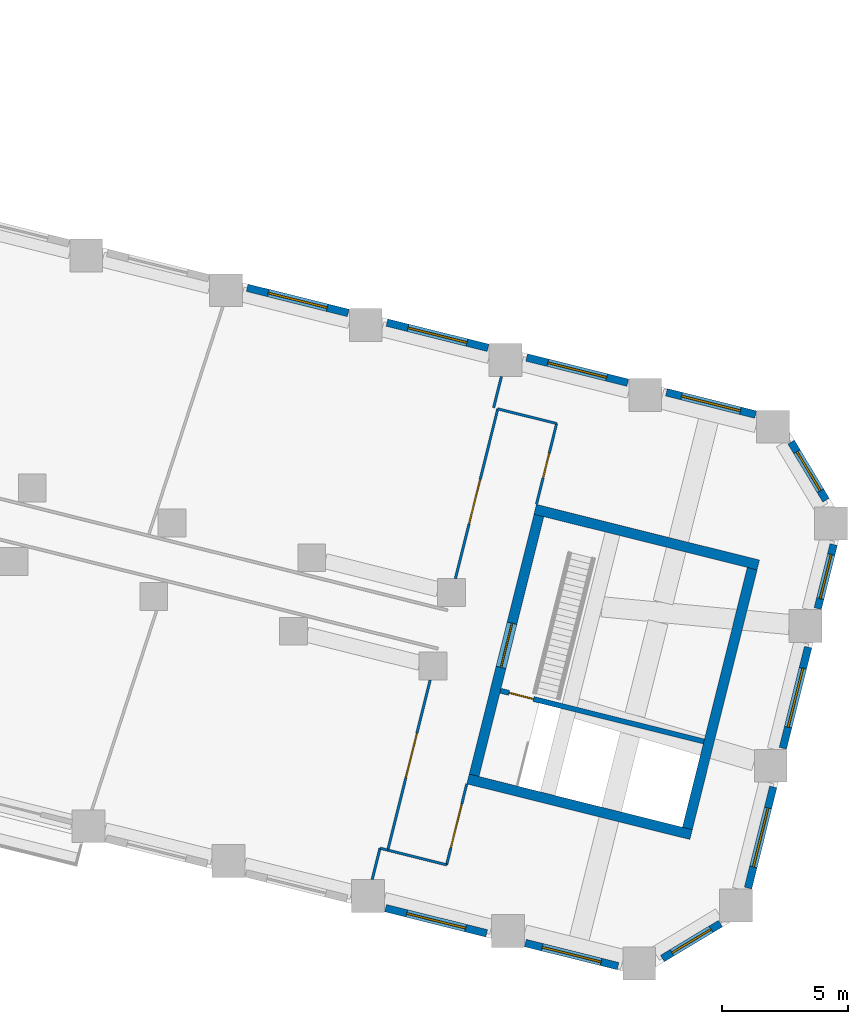
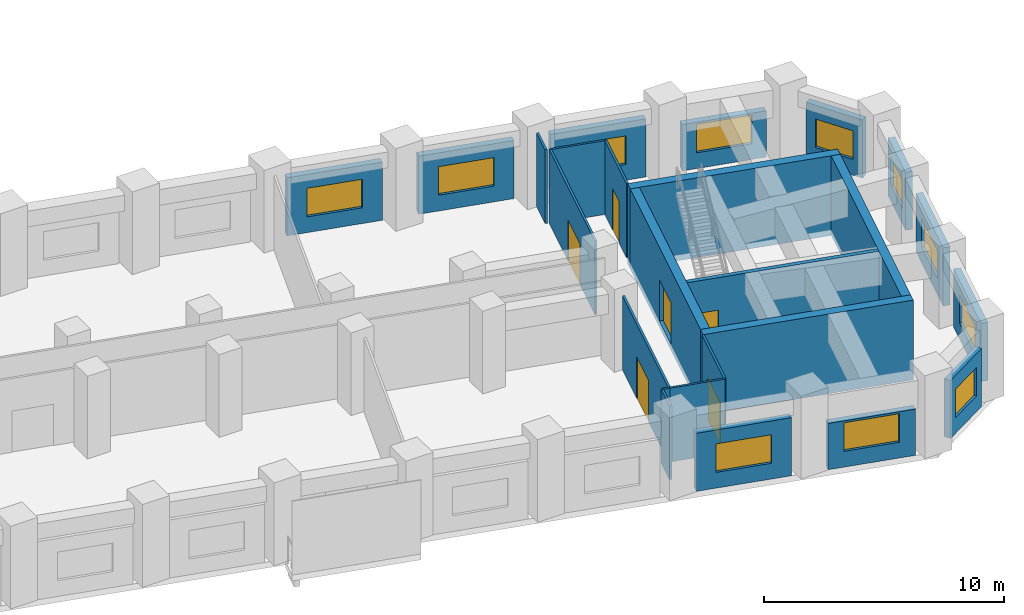
# One storey, part 7 of 11: 25 walls, 11 windows, 6 doors, 17 openings.
"""IFC4 building model written with IfcOpenShell, lengths in metres."""

import ifcopenshell
import ifcopenshell.guid

model = None  # the IFC model being written
_history = None  # IfcOwnerHistory: only IFC2X3 demands one
_inside = {}  # id of a spatial element -> (the spatial element, [elements in it])
_under = {}  # id of a project, library or spatial element -> (it, [spatial elements below it])
_declared = {}  # id of a project -> (the project, [libraries it declares])
_typed = {}  # id of a type object -> (the type object, [elements of that type])
_made_of = {}  # id of a material, layer set ... -> (it, [elements and type objects made of it])


def new_model(schema):
    """Start an empty IFC model of exactly this schema.

    Asked for "IFC4X3", IfcOpenShell would pick the latest addendum, in which some entities
    have other attributes; the version numbers below select the first issue.
    IFC2X3 requires an IfcOwnerHistory on every rooted entity: one is made here for all.
    """
    global model, _history
    if schema == "IFC4X3":
        model = ifcopenshell.file(schema_version=(4, 3, 0, 0))
    else:
        model = ifcopenshell.file(schema=schema)
    _inside.clear()
    _under.clear()
    _declared.clear()
    _typed.clear()
    _made_of.clear()
    _history = None
    if model.schema == "IFC2X3":
        org = make("IfcOrganization", Name="unknown")
        user = make(
            "IfcPersonAndOrganization",
            ThePerson=make("IfcPerson", FamilyName="unknown"),
            TheOrganization=org,
        )
        app = make(
            "IfcApplication",
            ApplicationDeveloper=org,
            Version="unknown",
            ApplicationFullName="unknown",
            ApplicationIdentifier="unknown",
        )
        _history = make(
            "IfcOwnerHistory",
            OwningUser=user,
            OwningApplication=app,
            ChangeAction="ADDED",
            CreationDate=0,
        )
    return model


def make(cls, **values):
    """One entity of the class cls with the attributes given. An attribute that is None is left unset."""
    return model.create_entity(
        cls, **{name: value for name, value in values.items() if value is not None}
    )


def rooted(cls, **values):
    """An entity with a GlobalId (a new one), such as an element, a storey or a relation."""
    return make(cls, GlobalId=ifcopenshell.guid.new(), OwnerHistory=_history, **values)


def si_unit(unit_type, name, prefix=None):
    """IfcSIUnit, for example si_unit("LENGTHUNIT", "METRE", prefix="MILLI")."""
    return make("IfcSIUnit", UnitType=unit_type, Prefix=prefix, Name=name)


def assignment(units):
    """IfcUnitAssignment: the units of a project."""
    return None if units is None else make("IfcUnitAssignment", Units=units)


def point(xyz):
    """IfcCartesianPoint."""
    return None if xyz is None else make("IfcCartesianPoint", Coordinates=xyz)


def direction(xyz):
    """IfcDirection."""
    return None if xyz is None else make("IfcDirection", DirectionRatios=xyz)


def frame(location, z_axis=None, x_axis=None):
    """IfcAxis2Placement3D, a coordinate frame: its origin and axes. An axis left out is left unset."""
    return make(
        "IfcAxis2Placement3D",
        Location=point(location),
        Axis=direction(z_axis),
        RefDirection=direction(x_axis),
    )


def frame_2d(location, x_axis=None):
    """IfcAxis2Placement2D, a coordinate frame in the plane: its origin and x axis."""
    return make(
        "IfcAxis2Placement2D", Location=point(location), RefDirection=direction(x_axis)
    )


def origin():
    """The frame at (0, 0, 0) with its axes left unset."""
    return frame((0.0, 0.0, 0.0))


def place(relative_to, where):
    """IfcLocalPlacement: puts the frame where relative to a parent placement (None: the world)."""
    return make(
        "IfcLocalPlacement", PlacementRelTo=relative_to, RelativePlacement=where
    )


def context(
    kind, dimensions, precision=None, world=None, true_north=None, identifier=None
):
    """IfcGeometricRepresentationContext, for example the 3D "Model" context."""
    return make(
        "IfcGeometricRepresentationContext",
        ContextIdentifier=identifier,
        ContextType=kind,
        CoordinateSpaceDimension=dimensions,
        Precision=precision,
        WorldCoordinateSystem=world,
        TrueNorth=true_north,
    )


def subcontext(parent, identifier, kind, view, scale=None):
    """IfcGeometricRepresentationSubContext, for example "Body" below "Model"."""
    return make(
        "IfcGeometricRepresentationSubContext",
        ContextIdentifier=identifier,
        ContextType=kind,
        ParentContext=parent,
        TargetScale=scale,
        TargetView=view,
    )


def project(units=None, contexts=None):
    """IfcProject with its units and contexts."""
    return rooted(
        "IfcProject",
        Name="project",
        RepresentationContexts=contexts,
        UnitsInContext=assignment(units),
    )


def spatial(cls, under=None, at=None, **own):
    """A site, building, storey or space (cls), placed at a placement, below another one or the project."""
    s = rooted(cls, ObjectPlacement=at, **own)
    if under is not None:
        _under.setdefault(under.id(), (under, []))[1].append(s)
    return s


def profile(cls, at=None, kind="AREA", **sizes):
    """A parametric profile (cls). Its sizes go by their IFC names, for example OverallWidth=200.0."""
    return make(cls, ProfileType=kind, Position=at, **sizes)


def rectangle(**sizes):
    """IfcRectangleProfileDef."""
    return profile("IfcRectangleProfileDef", **sizes)


def extrude(swept, where, along, depth):
    """IfcExtrudedAreaSolid: the profile swept, set in the frame where, extruded along a direction by depth."""
    return make(
        "IfcExtrudedAreaSolid",
        SweptArea=swept,
        Position=where,
        ExtrudedDirection=direction(along),
        Depth=depth,
    )


def shape(context_of_items, identifier, shape_type, items):
    """IfcShapeRepresentation: the items that make up one representation, for example the "Body"."""
    return make(
        "IfcShapeRepresentation",
        ContextOfItems=context_of_items,
        RepresentationIdentifier=identifier,
        RepresentationType=shape_type,
        Items=items,
    )


def material(Name=None, Category=None):
    """IfcMaterial."""
    return make("IfcMaterial", Name=Name, Category=Category)


def layer(
    of_material, thickness, ventilated=None, Name=None, Category=None, Priority=None
):
    """IfcMaterialLayer: one layer of a wall or slab, of a material (None: an air gap)."""
    return make(
        "IfcMaterialLayer",
        Material=of_material,
        LayerThickness=thickness,
        IsVentilated=ventilated,
        Name=Name,
        Category=Category,
        Priority=Priority,
    )


def layer_set(layers, Name=None):
    """IfcMaterialLayerSet."""
    return make("IfcMaterialLayerSet", MaterialLayers=layers, LayerSetName=Name)


def made_of(thing, what):
    """Note that an element or type object is made of a material, layer set ...; save() writes the relation."""
    if what is not None:
        _made_of.setdefault(what.id(), (what, []))[1].append(thing)
    return thing


def type_object(cls, material=None, **own):
    """A type object (cls), such as IfcWallType, which elements share."""
    return made_of(rooted(cls, **own), material)


def element(
    cls,
    number,
    at=None,
    inside=None,
    cuts=None,
    type_object=None,
    material=None,
    context=None,
    identifier="Body",
    shape_type=None,
    held_by="IfcProductDefinitionShape",
    body=None,
    shapes=None,
    **own,
):
    """One element of the class cls, such as IfcWall. Its Tag is "e" and its number.

    at: its placement. inside: the storey or other place that contains it. cuts: it is an
    opening in that element (IfcRelVoidsElement). A single representation is given by context,
    identifier, shape_type and body (its items); several are given by shapes. held_by: the class
    of the entity that holds the representations. save() writes the other relations.
    """
    e = rooted(cls, Tag="e%d" % number, ObjectPlacement=at, **own)
    if body is not None:
        shapes = [shape(context, identifier, shape_type, body)]
    if shapes is not None:
        e.Representation = make(held_by, Representations=shapes)
    if inside is not None:
        _inside.setdefault(inside.id(), (inside, []))[1].append(e)
    if cuts is not None:
        rooted(
            "IfcRelVoidsElement", RelatingBuildingElement=cuts, RelatedOpeningElement=e
        )
    if type_object is not None:
        _typed.setdefault(type_object.id(), (type_object, []))[1].append(e)
    return made_of(e, material)


def fill(opening, filler):
    """IfcRelFillsElement: the door or window that sits in an opening."""
    return rooted(
        "IfcRelFillsElement",
        RelatingOpeningElement=opening,
        RelatedBuildingElement=filler,
    )


def aggregate(whole, parts):
    """IfcRelAggregates: a whole, such as a stair, and the parts it consists of."""
    return rooted("IfcRelAggregates", RelatingObject=whole, RelatedObjects=parts)


def save(model, path):
    """Write the relations noted so far, then the file.

    IfcRelAggregates (storeys below a building ...), IfcRelContainedInSpatialStructure (elements
    in a storey), IfcRelDefinesByType, IfcRelAssociatesMaterial and IfcRelDeclares: one each for
    every whole, place, type object, material and project.
    """
    for whole, parts in _under.values():
        aggregate(whole, parts)
    for where, things in _inside.values():
        rooted(
            "IfcRelContainedInSpatialStructure",
            RelatedElements=things,
            RelatingStructure=where,
        )
    for kind, things in _typed.values():
        rooted("IfcRelDefinesByType", RelatedObjects=things, RelatingType=kind)
    for what, things in _made_of.values():
        rooted("IfcRelAssociatesMaterial", RelatedObjects=things, RelatingMaterial=what)
    for by, libraries in _declared.values():
        rooted("IfcRelDeclares", RelatingContext=by, RelatedDefinitions=libraries)
    model.write(path)


model = new_model("IFC4")

# Units and contexts
model_context = context("Model", 3, precision=1e-05, world=origin(), true_north=direction((0.0, 1.0)))
body_context = subcontext(model_context, "Body", "Model", "MODEL_VIEW")
ifc_project = project(units=[si_unit("LENGTHUNIT", "METRE"), si_unit("AREAUNIT", "SQUARE_METRE"), si_unit("VOLUMEUNIT", "CUBIC_METRE"), si_unit("PLANEANGLEUNIT", "RADIAN"), si_unit("MASSUNIT", "GRAM", prefix="KILO")], contexts=[model_context])

# Site, building, storey
site_placement = place(None, origin())
site = spatial("IfcSite", under=ifc_project, at=site_placement, CompositionType="ELEMENT")
building_placement = place(site_placement, origin())
building = spatial("IfcBuilding", under=site, at=building_placement, Name="Meshkara Civic Tower", CompositionType="ELEMENT")
storey_placement = place(building_placement, frame((0.0, 0.0, 151.800048828125)))
storey = spatial("IfcBuildingStorey", under=building, at=storey_placement, Name="L34", CompositionType="ELEMENT", Elevation=151.800048828125)

# Wall
ifc_material_1 = material(Name="Corridor wall 100")
ifc_layer_1 = layer(ifc_material_1, 0.10009765625)
ifc_layer_set_1 = layer_set([ifc_layer_1], Name="Corridor wall 100")
wall_type_1 = type_object("IfcWallType", Name="Corridor wall 100", PredefinedType="PARTITIONING", material=ifc_layer_set_1)
wall_1_placement = place(storey_placement, frame((67.405029296875, -14.33203125, 0.0), z_axis=(0.0, 0.0, 1.0), x_axis=(0.970256074659, -0.242080874063, 0.0)))
element("IfcWall", 1, at=wall_1_placement, inside=storey, type_object=wall_type_1, Name="L34-W024", PredefinedType="PARTITIONING", context=body_context, shape_type="SweptSolid", body=[
    extrude(rectangle(XDim=2.400146484375, YDim=0.10009765625, at=frame_2d((1.2001953125, 0.0))), origin(), (0.0, 0.0, 1.0), 3.75),
])

# Wall, opening, door
wall_2_placement = place(storey_placement, frame((69.083984375, -7.60009765625, 0.0), z_axis=(0.0, 0.0, 1.0), x_axis=(-0.241989134778, -0.970278959191, 0.0)))
wall_2 = element("IfcWall", 2, at=wall_2_placement, inside=storey, type_object=wall_type_1, Name="L34-W025", PredefinedType="PARTITIONING", context=body_context, shape_type="SweptSolid", body=[
    extrude(rectangle(XDim=6.938232421875, YDim=0.10009765625, at=frame_2d((3.46923828125, 0.0))), origin(), (0.0, 0.0, 1.0), 3.75),
])
opening_1_placement = place(wall_2_placement, frame((2.179931640625, 0.0, 0.0)))
opening_1 = element("IfcOpeningElement", 3, at=opening_1_placement, cuts=wall_2, Name="Opening L34-D002", PredefinedType="OPENING", context=body_context, shape_type="SweptSolid", body=[
    extrude(rectangle(XDim=1.800048828125, YDim=2.10009765625, at=frame_2d((0.89990234375, 1.050048828125))), frame((0.0, 0.06005859375, 0.0), z_axis=(0.0, -1.0, 0.0), x_axis=(1.0, 0.0, 0.0)), (0.0, 0.0, 1.0), 0.1201171875),
])
ifc_material_2 = material(Name="Door pair 1800 x 2100")
door_type_1 = type_object("IfcDoorType", Name="Door pair 1800 x 2100", OperationType="SINGLE_SWING_LEFT", PredefinedType="DOOR", material=ifc_material_2)
door_1_placement = place(opening_1_placement, origin())
door_1 = element("IfcDoor", 4, at=door_1_placement, inside=storey, type_object=door_type_1, Name="L34-D002", OperationType="DOUBLE_DOOR_SINGLE_SWING", OverallHeight=2.10009765625, OverallWidth=1.800048828125, PredefinedType="DOOR", context=body_context, shape_type="SweptSolid", body=[
    extrude(rectangle(XDim=1.800048828125, YDim=2.10009765625, at=frame_2d((0.89990234375, 1.050048828125))), frame((0.0, 0.02490234375, 0.0), z_axis=(0.0, -1.0, 0.0), x_axis=(1.0, 0.0, 0.0)), (0.0, 0.0, 1.0), 0.050048828125),
])
fill(opening_1, door_1)

wall_3_placement = place(storey_placement, frame((69.73388671875, -14.9130859375, 0.0), z_axis=(0.0, 0.0, 1.0), x_axis=(0.241839284064, 0.97031631991, 0.0)))
wall_3 = element("IfcWall", 5, at=wall_3_placement, inside=storey, type_object=wall_type_1, Name="L34-W026", PredefinedType="PARTITIONING", context=body_context, shape_type="SweptSolid", body=[
    extrude(rectangle(XDim=3.300048828125, YDim=0.10009765625, at=frame_2d((1.64990234375, 0.0))), origin(), (0.0, 0.0, 1.0), 3.75),
])
opening_2_placement = place(wall_3_placement, frame((0.679931640625, 0.0, 0.0)))
opening_2 = element("IfcOpeningElement", 6, at=opening_2_placement, cuts=wall_3, Name="Opening L34-D001", PredefinedType="OPENING", context=body_context, shape_type="SweptSolid", body=[
    extrude(rectangle(XDim=1.800048828125, YDim=2.10009765625, at=frame_2d((0.89990234375, 1.050048828125))), frame((0.0, 0.06005859375, 0.0), z_axis=(0.0, -1.0, 0.0), x_axis=(1.0, 0.0, 0.0)), (0.0, 0.0, 1.0), 0.1201171875),
])
door_2_placement = place(opening_2_placement, origin())
door_2 = element("IfcDoor", 7, at=door_2_placement, inside=storey, type_object=door_type_1, Name="L34-D001", OperationType="DOUBLE_DOOR_SINGLE_SWING", OverallHeight=2.10009765625, OverallWidth=1.800048828125, PredefinedType="DOOR", context=body_context, shape_type="SweptSolid", body=[
    extrude(rectangle(XDim=1.800048828125, YDim=2.10009765625, at=frame_2d((0.89990234375, 1.050048828125))), frame((0.0, 0.02490234375, 0.0), z_axis=(0.0, -1.0, 0.0), x_axis=(1.0, 0.0, 0.0)), (0.0, 0.0, 1.0), 0.050048828125),
])
fill(opening_2, door_2)

wall_4_placement = place(storey_placement, frame((71.759033203125, 3.133056640625, 0.0), z_axis=(0.0, 0.0, 1.0), x_axis=(-0.242021590717, -0.970270864051, 0.0)))
wall_4 = element("IfcWall", 8, at=wall_4_placement, inside=storey, type_object=wall_type_1, Name="L34-W027", PredefinedType="PARTITIONING", context=body_context, shape_type="SweptSolid", body=[
    extrude(rectangle(XDim=6.92919921875, YDim=0.10009765625, at=frame_2d((3.464599609375, 0.0))), origin(), (0.0, 0.0, 1.0), 3.75),
])
opening_3_placement = place(wall_4_placement, frame((2.8798828125, 0.0, 0.0)))
opening_3 = element("IfcOpeningElement", 9, at=opening_3_placement, cuts=wall_4, Name="Opening L34-D004", PredefinedType="OPENING", context=body_context, shape_type="SweptSolid", body=[
    extrude(rectangle(XDim=1.800048828125, YDim=2.10009765625, at=frame_2d((0.89990234375, 1.050048828125))), frame((0.0, 0.06005859375, 0.0), z_axis=(0.0, -1.0, 0.0), x_axis=(1.0, 0.0, 0.0)), (0.0, 0.0, 1.0), 0.1201171875),
])
door_3_placement = place(opening_3_placement, origin())
door_3 = element("IfcDoor", 10, at=door_3_placement, inside=storey, type_object=door_type_1, Name="L34-D004", OperationType="DOUBLE_DOOR_SINGLE_SWING", OverallHeight=2.10009765625, OverallWidth=1.800048828125, PredefinedType="DOOR", context=body_context, shape_type="SweptSolid", body=[
    extrude(rectangle(XDim=1.800048828125, YDim=2.10009765625, at=frame_2d((0.89990234375, 1.050048828125))), frame((0.0, 0.02490234375, 0.0), z_axis=(0.0, -1.0, 0.0), x_axis=(1.0, 0.0, 0.0)), (0.0, 0.0, 1.0), 0.050048828125),
])
fill(opening_3, door_3)

wall_5_placement = place(storey_placement, frame((73.2900390625, -0.64990234375, 0.0), z_axis=(0.0, 0.0, 1.0), x_axis=(0.241786986316, 0.970329352977, 0.0)))
wall_5 = element("IfcWall", 11, at=wall_5_placement, inside=storey, type_object=wall_type_1, Name="L34-W028", PredefinedType="PARTITIONING", context=body_context, shape_type="SweptSolid", body=[
    extrude(rectangle(XDim=3.2998046875, YDim=0.10009765625, at=frame_2d((1.64990234375, 0.0))), origin(), (0.0, 0.0, 1.0), 3.75),
])
opening_4_placement = place(wall_5_placement, frame((1.080078125, 0.0, 0.0)))
opening_4 = element("IfcOpeningElement", 12, at=opening_4_placement, cuts=wall_5, Name="Opening L34-D009", PredefinedType="OPENING", context=body_context, shape_type="SweptSolid", body=[
    extrude(rectangle(XDim=1.0, YDim=2.10009765625, at=frame_2d((0.5, 1.050048828125))), frame((0.0, 0.06005859375, 0.0), z_axis=(0.0, -1.0, 0.0), x_axis=(1.0, 0.0, 0.0)), (0.0, 0.0, 1.0), 0.1201171875),
])
ifc_material_3 = material(Name="Door 1000 x 2100")
door_type_2 = type_object("IfcDoorType", Name="Door 1000 x 2100", OperationType="SINGLE_SWING_LEFT", PredefinedType="DOOR", material=ifc_material_3)
door_4_placement = place(opening_4_placement, origin())
door_4 = element("IfcDoor", 13, at=door_4_placement, inside=storey, type_object=door_type_2, Name="L34-D009", OperationType="SINGLE_SWING_RIGHT", OverallHeight=2.10009765625, OverallWidth=1.0, PredefinedType="DOOR", context=body_context, shape_type="SweptSolid", body=[
    extrude(rectangle(XDim=1.0, YDim=2.10009765625, at=frame_2d((0.5, 1.050048828125))), frame((0.0, 0.02490234375, 0.0), z_axis=(0.0, -1.0, 0.0), x_axis=(1.0, 0.0, 0.0)), (0.0, 0.0, 1.0), 0.050048828125),
])
fill(opening_4, door_4)

# Wall
wall_6_placement = place(storey_placement, frame((74.087890625, 2.552001953125, 0.0), z_axis=(0.0, 0.0, 1.0), x_axis=(-0.970256074659, 0.242080874063, 0.0)))
element("IfcWall", 14, at=wall_6_placement, inside=storey, type_object=wall_type_1, Name="L34-W029", PredefinedType="PARTITIONING", context=body_context, shape_type="SweptSolid", body=[
    extrude(rectangle(XDim=2.400146484375, YDim=0.10009765625, at=frame_2d((1.2001953125, 0.0))), origin(), (0.0, 0.0, 1.0), 3.75),
])

# Wall, opening, window
ifc_material_4 = material(Name="Insulated infill panel with bronze anodised aluminium cladding", Category="aluminium")
ifc_layer_2 = layer(ifc_material_4, 0.300048828125)
ifc_layer_set_2 = layer_set([ifc_layer_2], Name="EXTERNAL INFILL WALL 300")
wall_type_2 = type_object("IfcWallType", Name="EXTERNAL INFILL WALL 300", PredefinedType="SOLIDWALL", material=ifc_layer_set_2)
wall_7_placement = place(storey_placement, frame((81.962890625, 2.906982421875, 0.0), z_axis=(0.0, 0.0, 1.0), x_axis=(-0.970248953144, 0.24210941519, 0.0)))
wall_7 = element("IfcWall", 15, at=wall_7_placement, inside=storey, type_object=wall_type_2, Name="External wall", PredefinedType="SOLIDWALL", context=body_context, shape_type="SweptSolid", body=[
    extrude(rectangle(XDim=3.63916015625, YDim=0.300048828125, at=frame_2d((1.819580078125, 0.0))), origin(), (0.0, 0.0, 1.0), 2.349853515625),
])
opening_5_placement = place(wall_7_placement, frame((0.6201171875, 0.0, 0.800048828125)))
opening_5 = element("IfcOpeningElement", 16, at=opening_5_placement, cuts=wall_7, Name="Opening W8", PredefinedType="OPENING", context=body_context, shape_type="SweptSolid", body=[
    extrude(rectangle(XDim=2.39990234375, YDim=1.449951171875, at=frame_2d((1.199951171875, 0.72509765625))), frame((0.0, 0.159912109375, 0.0), z_axis=(0.0, -1.0, 0.0), x_axis=(1.0, 0.0, 0.0)), (0.0, 0.0, 1.0), 0.320068359375),
])
ifc_material_5 = material(Name="Tinted double glazing", Category="glass")
window_type_1 = type_object("IfcWindowType", Name="WINDOW 2400x1450", PartitioningType="DOUBLE_PANEL_VERTICAL", PredefinedType="WINDOW", material=ifc_material_5)
window_1_placement = place(opening_5_placement, origin())
window_1 = element("IfcWindow", 17, at=window_1_placement, inside=storey, type_object=window_type_1, Name="Window", OverallHeight=1.449951171875, OverallWidth=2.39990234375, PartitioningType="DOUBLE_PANEL_VERTICAL", PredefinedType="WINDOW", context=body_context, shape_type="SweptSolid", body=[
    extrude(rectangle(XDim=2.39990234375, YDim=1.449951171875, at=frame_2d((1.199951171875, 0.72509765625))), frame((0.0, 0.030029296875, 0.0), z_axis=(0.0, -1.0, 0.0), x_axis=(1.0, 0.0, 0.0)), (0.0, 0.0, 1.0), 0.06005859375),
])
fill(opening_5, window_1)

wall_8_placement = place(storey_placement, frame((76.903076171875, 4.1689453125, 0.0), z_axis=(0.0, 0.0, 1.0), x_axis=(-0.970267747908, 0.242034083076, 0.0)))
wall_8 = element("IfcWall", 18, at=wall_8_placement, inside=storey, type_object=wall_type_2, Name="External wall", PredefinedType="SOLIDWALL", context=body_context, shape_type="SweptSolid", body=[
    extrude(rectangle(XDim=4.12353515625, YDim=0.300048828125, at=frame_2d((2.061767578125, 0.0))), origin(), (0.0, 0.0, 1.0), 2.949951171875),
])
opening_6_placement = place(wall_8_placement, frame((0.862060546875, 0.0, 0.800048828125)))
opening_6 = element("IfcOpeningElement", 19, at=opening_6_placement, cuts=wall_8, Name="Opening W8", PredefinedType="OPENING", context=body_context, shape_type="SweptSolid", body=[
    extrude(rectangle(XDim=2.39990234375, YDim=1.449951171875, at=frame_2d((1.199951171875, 0.72509765625))), frame((0.0, 0.159912109375, 0.0), z_axis=(0.0, -1.0, 0.0), x_axis=(1.0, 0.0, 0.0)), (0.0, 0.0, 1.0), 0.320068359375),
])
window_2_placement = place(opening_6_placement, origin())
window_2 = element("IfcWindow", 20, at=window_2_placement, inside=storey, type_object=window_type_1, Name="Window", OverallHeight=1.449951171875, OverallWidth=2.39990234375, PartitioningType="DOUBLE_PANEL_VERTICAL", PredefinedType="WINDOW", context=body_context, shape_type="SweptSolid", body=[
    extrude(rectangle(XDim=2.39990234375, YDim=1.449951171875, at=frame_2d((1.199951171875, 0.72509765625))), frame((0.0, 0.030029296875, 0.0), z_axis=(0.0, -1.0, 0.0), x_axis=(1.0, 0.0, 0.0)), (0.0, 0.0, 1.0), 0.06005859375),
])
fill(opening_6, window_2)

wall_9_placement = place(storey_placement, frame((71.373046875, 5.548095703125, 0.0), z_axis=(0.0, 0.0, 1.0), x_axis=(-0.97029551261, 0.241922752565, 0.0)))
wall_9 = element("IfcWall", 21, at=wall_9_placement, inside=storey, type_object=wall_type_2, Name="External wall", PredefinedType="SOLIDWALL", context=body_context, shape_type="SweptSolid", body=[
    extrude(rectangle(XDim=4.12451171875, YDim=0.300048828125, at=frame_2d((2.062255859375, 0.0))), origin(), (0.0, 0.0, 1.0), 2.949951171875),
])
opening_7_placement = place(wall_9_placement, frame((0.862060546875, 0.0, 0.800048828125)))
opening_7 = element("IfcOpeningElement", 22, at=opening_7_placement, cuts=wall_9, Name="Opening W8", PredefinedType="OPENING", context=body_context, shape_type="SweptSolid", body=[
    extrude(rectangle(XDim=2.39990234375, YDim=1.449951171875, at=frame_2d((1.199951171875, 0.72509765625))), frame((0.0, 0.159912109375, 0.0), z_axis=(0.0, -1.0, 0.0), x_axis=(1.0, 0.0, 0.0)), (0.0, 0.0, 1.0), 0.320068359375),
])
window_3_placement = place(opening_7_placement, origin())
window_3 = element("IfcWindow", 23, at=window_3_placement, inside=storey, type_object=window_type_1, Name="Window", OverallHeight=1.449951171875, OverallWidth=2.39990234375, PartitioningType="DOUBLE_PANEL_VERTICAL", PredefinedType="WINDOW", context=body_context, shape_type="SweptSolid", body=[
    extrude(rectangle(XDim=2.39990234375, YDim=1.449951171875, at=frame_2d((1.199951171875, 0.72509765625))), frame((0.0, 0.030029296875, 0.0), z_axis=(0.0, -1.0, 0.0), x_axis=(1.0, 0.0, 0.0)), (0.0, 0.0, 1.0), 0.06005859375),
])
fill(opening_7, window_3)

wall_10_placement = place(storey_placement, frame((65.842041015625, 6.927001953125, 0.0), z_axis=(0.0, 0.0, 1.0), x_axis=(-0.970281616392, 0.241978480223, 0.0)))
wall_10 = element("IfcWall", 24, at=wall_10_placement, inside=storey, type_object=wall_type_2, Name="External wall", PredefinedType="SOLIDWALL", context=body_context, shape_type="SweptSolid", body=[
    extrude(rectangle(XDim=4.12451171875, YDim=0.300048828125, at=frame_2d((2.062255859375, 0.0))), origin(), (0.0, 0.0, 1.0), 2.949951171875),
])
opening_8_placement = place(wall_10_placement, frame((0.862060546875, 0.0, 0.800048828125)))
opening_8 = element("IfcOpeningElement", 25, at=opening_8_placement, cuts=wall_10, Name="Opening W8", PredefinedType="OPENING", context=body_context, shape_type="SweptSolid", body=[
    extrude(rectangle(XDim=2.39990234375, YDim=1.449951171875, at=frame_2d((1.199951171875, 0.72509765625))), frame((0.0, 0.159912109375, 0.0), z_axis=(0.0, -1.0, 0.0), x_axis=(1.0, 0.0, 0.0)), (0.0, 0.0, 1.0), 0.320068359375),
])
window_4_placement = place(opening_8_placement, origin())
window_4 = element("IfcWindow", 26, at=window_4_placement, inside=storey, type_object=window_type_1, Name="Window", OverallHeight=1.449951171875, OverallWidth=2.39990234375, PartitioningType="DOUBLE_PANEL_VERTICAL", PredefinedType="WINDOW", context=body_context, shape_type="SweptSolid", body=[
    extrude(rectangle(XDim=2.39990234375, YDim=1.449951171875, at=frame_2d((1.199951171875, 0.72509765625))), frame((0.0, 0.030029296875, 0.0), z_axis=(0.0, -1.0, 0.0), x_axis=(1.0, 0.0, 0.0)), (0.0, 0.0, 1.0), 0.06005859375),
])
fill(opening_8, window_4)

wall_11_placement = place(storey_placement, frame((67.319091796875, -16.6298828125, 0.0), z_axis=(0.0, 0.0, 1.0), x_axis=(0.970337184445, -0.241755555227, 0.0)))
wall_11 = element("IfcWall", 27, at=wall_11_placement, inside=storey, type_object=wall_type_2, Name="External wall", PredefinedType="SOLIDWALL", context=body_context, shape_type="SweptSolid", body=[
    extrude(rectangle(XDim=4.124267578125, YDim=0.300048828125, at=frame_2d((2.06201171875, 0.0))), origin(), (0.0, 0.0, 1.0), 2.949951171875),
])
opening_9_placement = place(wall_11_placement, frame((0.862060546875, 0.0, 0.800048828125)))
opening_9 = element("IfcOpeningElement", 28, at=opening_9_placement, cuts=wall_11, Name="Opening W8", PredefinedType="OPENING", context=body_context, shape_type="SweptSolid", body=[
    extrude(rectangle(XDim=2.39990234375, YDim=1.449951171875, at=frame_2d((1.199951171875, 0.72509765625))), frame((0.0, 0.159912109375, 0.0), z_axis=(0.0, -1.0, 0.0), x_axis=(1.0, 0.0, 0.0)), (0.0, 0.0, 1.0), 0.320068359375),
])
window_5_placement = place(opening_9_placement, origin())
window_5 = element("IfcWindow", 29, at=window_5_placement, inside=storey, type_object=window_type_1, Name="Window", OverallHeight=1.449951171875, OverallWidth=2.39990234375, PartitioningType="DOUBLE_PANEL_VERTICAL", PredefinedType="WINDOW", context=body_context, shape_type="SweptSolid", body=[
    extrude(rectangle(XDim=2.39990234375, YDim=1.449951171875, at=frame_2d((1.199951171875, 0.72509765625))), frame((0.0, 0.030029296875, 0.0), z_axis=(0.0, -1.0, 0.0), x_axis=(1.0, 0.0, 0.0)), (0.0, 0.0, 1.0), 0.06005859375),
])
fill(opening_9, window_5)

wall_12_placement = place(storey_placement, frame((72.85009765625, -18.009033203125, 0.0), z_axis=(0.0, 0.0, 1.0), x_axis=(0.970309295155, -0.241867467295, 0.0)))
wall_12 = element("IfcWall", 30, at=wall_12_placement, inside=storey, type_object=wall_type_2, Name="External wall", PredefinedType="SOLIDWALL", context=body_context, shape_type="SweptSolid", body=[
    extrude(rectangle(XDim=3.783203125, YDim=0.300048828125, at=frame_2d((1.8916015625, 0.0))), origin(), (0.0, 0.0, 1.0), 2.349853515625),
])
opening_10_placement = place(wall_12_placement, frame((0.69189453125, 0.0, 0.800048828125)))
opening_10 = element("IfcOpeningElement", 31, at=opening_10_placement, cuts=wall_12, Name="Opening W8", PredefinedType="OPENING", context=body_context, shape_type="SweptSolid", body=[
    extrude(rectangle(XDim=2.39990234375, YDim=1.449951171875, at=frame_2d((1.199951171875, 0.72509765625))), frame((0.0, 0.159912109375, 0.0), z_axis=(0.0, -1.0, 0.0), x_axis=(1.0, 0.0, 0.0)), (0.0, 0.0, 1.0), 0.320068359375),
])
window_6_placement = place(opening_10_placement, origin())
window_6 = element("IfcWindow", 32, at=window_6_placement, inside=storey, type_object=window_type_1, Name="Window", OverallHeight=1.449951171875, OverallWidth=2.39990234375, PartitioningType="DOUBLE_PANEL_VERTICAL", PredefinedType="WINDOW", context=body_context, shape_type="SweptSolid", body=[
    extrude(rectangle(XDim=2.39990234375, YDim=1.449951171875, at=frame_2d((1.199951171875, 0.72509765625))), frame((0.0, 0.030029296875, 0.0), z_axis=(0.0, -1.0, 0.0), x_axis=(1.0, 0.0, 0.0)), (0.0, 0.0, 1.0), 0.06005859375),
])
fill(opening_10, window_6)

wall_13_placement = place(storey_placement, frame((78.277099609375, -18.62109375, 0.0), z_axis=(0.0, 0.0, 1.0), x_axis=(0.857066424989, 0.515205923061, 0.0)))
wall_13 = element("IfcWall", 33, at=wall_13_placement, inside=storey, type_object=wall_type_2, Name="External wall", PredefinedType="SOLIDWALL", context=body_context, shape_type="SweptSolid", body=[
    extrude(rectangle(XDim=2.6787109375, YDim=0.300048828125, at=frame_2d((1.33935546875, 0.0))), origin(), (0.0, 0.0, 1.0), 2.949951171875),
])
opening_11_placement = place(wall_13_placement, frame((0.43896484375, 0.0, 0.800048828125)))
opening_11 = element("IfcOpeningElement", 34, at=opening_11_placement, cuts=wall_13, Name="Opening W10", PredefinedType="OPENING", context=body_context, shape_type="SweptSolid", body=[
    extrude(rectangle(XDim=1.800048828125, YDim=1.449951171875, at=frame_2d((0.89990234375, 0.72509765625))), frame((0.0, 0.159912109375, 0.0), z_axis=(0.0, -1.0, 0.0), x_axis=(1.0, 0.0, 0.0)), (0.0, 0.0, 1.0), 0.320068359375),
])
ifc_material_6 = material(Name="Tinted double glazing", Category="glass")
window_type_2 = type_object("IfcWindowType", Name="WINDOW 1800x1450", PartitioningType="DOUBLE_PANEL_VERTICAL", PredefinedType="WINDOW", material=ifc_material_6)
window_7_placement = place(opening_11_placement, origin())
window_7 = element("IfcWindow", 35, at=window_7_placement, inside=storey, type_object=window_type_2, Name="Window", OverallHeight=1.449951171875, OverallWidth=1.800048828125, PartitioningType="DOUBLE_PANEL_VERTICAL", PredefinedType="WINDOW", context=body_context, shape_type="SweptSolid", body=[
    extrude(rectangle(XDim=1.800048828125, YDim=1.449951171875, at=frame_2d((0.89990234375, 0.72509765625))), frame((0.0, 0.030029296875, 0.0), z_axis=(0.0, -1.0, 0.0), x_axis=(1.0, 0.0, 0.0)), (0.0, 0.0, 1.0), 0.06005859375),
])
fill(opening_11, window_7)

wall_14_placement = place(storey_placement, frame((81.6650390625, -15.83203125, 0.0), z_axis=(0.0, 0.0, 1.0), x_axis=(0.241978480223, 0.970281616392, 0.0)))
wall_14 = element("IfcWall", 36, at=wall_14_placement, inside=storey, type_object=wall_type_2, Name="External wall", PredefinedType="SOLIDWALL", context=body_context, shape_type="SweptSolid", body=[
    extrude(rectangle(XDim=4.12451171875, YDim=0.300048828125, at=frame_2d((2.062255859375, 0.0))), origin(), (0.0, 0.0, 1.0), 2.949951171875),
])
opening_12_placement = place(wall_14_placement, frame((0.862060546875, 0.0, 0.800048828125)))
opening_12 = element("IfcOpeningElement", 37, at=opening_12_placement, cuts=wall_14, Name="Opening W8", PredefinedType="OPENING", context=body_context, shape_type="SweptSolid", body=[
    extrude(rectangle(XDim=2.39990234375, YDim=1.449951171875, at=frame_2d((1.199951171875, 0.72509765625))), frame((0.0, 0.159912109375, 0.0), z_axis=(0.0, -1.0, 0.0), x_axis=(1.0, 0.0, 0.0)), (0.0, 0.0, 1.0), 0.320068359375),
])
window_8_placement = place(opening_12_placement, origin())
window_8 = element("IfcWindow", 38, at=window_8_placement, inside=storey, type_object=window_type_1, Name="Window", OverallHeight=1.449951171875, OverallWidth=2.39990234375, PartitioningType="DOUBLE_PANEL_VERTICAL", PredefinedType="WINDOW", context=body_context, shape_type="SweptSolid", body=[
    extrude(rectangle(XDim=2.39990234375, YDim=1.449951171875, at=frame_2d((1.199951171875, 0.72509765625))), frame((0.0, 0.030029296875, 0.0), z_axis=(0.0, -1.0, 0.0), x_axis=(1.0, 0.0, 0.0)), (0.0, 0.0, 1.0), 0.06005859375),
])
fill(opening_12, window_8)

wall_15_placement = place(storey_placement, frame((83.0439453125, -10.301025390625, 0.0), z_axis=(0.0, 0.0, 1.0), x_axis=(0.242034083076, 0.970267747908, 0.0)))
wall_15 = element("IfcWall", 39, at=wall_15_placement, inside=storey, type_object=wall_type_2, Name="External wall", PredefinedType="SOLIDWALL", context=body_context, shape_type="SweptSolid", body=[
    extrude(rectangle(XDim=4.12353515625, YDim=0.300048828125, at=frame_2d((2.061767578125, 0.0))), origin(), (0.0, 0.0, 1.0), 2.949951171875),
])
opening_13_placement = place(wall_15_placement, frame((0.862060546875, 0.0, 0.800048828125)))
opening_13 = element("IfcOpeningElement", 40, at=opening_13_placement, cuts=wall_15, Name="Opening W8", PredefinedType="OPENING", context=body_context, shape_type="SweptSolid", body=[
    extrude(rectangle(XDim=2.39990234375, YDim=1.449951171875, at=frame_2d((1.199951171875, 0.72509765625))), frame((0.0, 0.159912109375, 0.0), z_axis=(0.0, -1.0, 0.0), x_axis=(1.0, 0.0, 0.0)), (0.0, 0.0, 1.0), 0.320068359375),
])
window_9_placement = place(opening_13_placement, origin())
window_9 = element("IfcWindow", 41, at=window_9_placement, inside=storey, type_object=window_type_1, Name="Window", OverallHeight=1.449951171875, OverallWidth=2.39990234375, PartitioningType="DOUBLE_PANEL_VERTICAL", PredefinedType="WINDOW", context=body_context, shape_type="SweptSolid", body=[
    extrude(rectangle(XDim=2.39990234375, YDim=1.449951171875, at=frame_2d((1.199951171875, 0.72509765625))), frame((0.0, 0.030029296875, 0.0), z_axis=(0.0, -1.0, 0.0), x_axis=(1.0, 0.0, 0.0)), (0.0, 0.0, 1.0), 0.06005859375),
])
fill(opening_13, window_9)

wall_16_placement = place(storey_placement, frame((84.423095703125, -4.77099609375, 0.0), z_axis=(0.0, 0.0, 1.0), x_axis=(0.241941668773, 0.970290796056, 0.0)))
wall_16 = element("IfcWall", 42, at=wall_16_placement, inside=storey, type_object=wall_type_2, Name="External wall", PredefinedType="SOLIDWALL", context=body_context, shape_type="SweptSolid", body=[
    extrude(rectangle(XDim=2.611572265625, YDim=0.300048828125, at=frame_2d((1.3056640625, 0.0))), origin(), (0.0, 0.0, 1.0), 2.949951171875),
])
opening_14_placement = place(wall_16_placement, frame((0.406005859375, 0.0, 0.800048828125)))
opening_14 = element("IfcOpeningElement", 43, at=opening_14_placement, cuts=wall_16, Name="Opening W10", PredefinedType="OPENING", context=body_context, shape_type="SweptSolid", body=[
    extrude(rectangle(XDim=1.800048828125, YDim=1.449951171875, at=frame_2d((0.89990234375, 0.72509765625))), frame((0.0, 0.159912109375, 0.0), z_axis=(0.0, -1.0, 0.0), x_axis=(1.0, 0.0, 0.0)), (0.0, 0.0, 1.0), 0.320068359375),
])
window_10_placement = place(opening_14_placement, origin())
window_10 = element("IfcWindow", 44, at=window_10_placement, inside=storey, type_object=window_type_2, Name="Window", OverallHeight=1.449951171875, OverallWidth=1.800048828125, PartitioningType="DOUBLE_PANEL_VERTICAL", PredefinedType="WINDOW", context=body_context, shape_type="SweptSolid", body=[
    extrude(rectangle(XDim=1.800048828125, YDim=1.449951171875, at=frame_2d((0.89990234375, 0.72509765625))), frame((0.0, 0.030029296875, 0.0), z_axis=(0.0, -1.0, 0.0), x_axis=(1.0, 0.0, 0.0)), (0.0, 0.0, 1.0), 0.06005859375),
])
fill(opening_14, window_10)

wall_17_placement = place(storey_placement, frame((84.751953125, -0.48095703125, 0.0), z_axis=(0.0, 0.0, 1.0), x_axis=(-0.515138971391, 0.857106667898, 0.0)))
wall_17 = element("IfcWall", 45, at=wall_17_placement, inside=storey, type_object=wall_type_2, Name="External wall", PredefinedType="SOLIDWALL", context=body_context, shape_type="SweptSolid", body=[
    extrude(rectangle(XDim=2.6787109375, YDim=0.300048828125, at=frame_2d((1.33935546875, 0.0))), origin(), (0.0, 0.0, 1.0), 2.949951171875),
])
opening_15_placement = place(wall_17_placement, frame((0.43896484375, 0.0, 0.800048828125)))
opening_15 = element("IfcOpeningElement", 46, at=opening_15_placement, cuts=wall_17, Name="Opening W10", PredefinedType="OPENING", context=body_context, shape_type="SweptSolid", body=[
    extrude(rectangle(XDim=1.800048828125, YDim=1.449951171875, at=frame_2d((0.89990234375, 0.72509765625))), frame((0.0, 0.159912109375, 0.0), z_axis=(0.0, -1.0, 0.0), x_axis=(1.0, 0.0, 0.0)), (0.0, 0.0, 1.0), 0.320068359375),
])
window_11_placement = place(opening_15_placement, origin())
window_11 = element("IfcWindow", 47, at=window_11_placement, inside=storey, type_object=window_type_2, Name="Window", OverallHeight=1.449951171875, OverallWidth=1.800048828125, PartitioningType="DOUBLE_PANEL_VERTICAL", PredefinedType="WINDOW", context=body_context, shape_type="SweptSolid", body=[
    extrude(rectangle(XDim=1.800048828125, YDim=1.449951171875, at=frame_2d((0.89990234375, 0.72509765625))), frame((0.0, 0.030029296875, 0.0), z_axis=(0.0, -1.0, 0.0), x_axis=(1.0, 0.0, 0.0)), (0.0, 0.0, 1.0), 0.06005859375),
])
fill(opening_15, window_11)

# Walls
ifc_material_7 = material(Name="Concrete C70", Category="concrete")
ifc_layer_3 = layer(ifc_material_7, 0.39990234375)
ifc_layer_set_3 = layer_set([ifc_layer_3], Name="End core ring wall 400 C70")
wall_type_3 = type_object("IfcWallType", Name="End core ring wall 400 C70", PredefinedType="SHEAR", material=ifc_layer_set_3)
for number, where, z_axis, x_axis, name in (
    (48, (70.580078125, -11.51708984375, -0.300048828125), (0.0, 0.0, 1.0), (0.970285938441, -0.241961149081, 0.0), "L34-C031"),
    (49, (73.240966796875, -0.843994140625, -0.300048828125), (0.0, 0.0, 1.0), (0.970312696888, -0.241853820019, 0.0), "L34-C032"),
):
    element("IfcWall", number, at=place(storey_placement, frame(where, z_axis=z_axis, x_axis=x_axis)), inside=storey, type_object=wall_type_3, Name=name, PredefinedType="SHEAR", context=body_context, shape_type="SweptSolid", body=[
        extrude(rectangle(XDim=9.100341796875, YDim=0.39990234375, at=frame_2d((4.55029296875, 0.0))), origin(), (0.0, 0.0, 1.0), 4.050048828125),
    ])

# Wall, opening, door
wall_18_placement = place(storey_placement, frame((70.822998046875, -11.37109375, -0.300048828125), z_axis=(0.0, 0.0, 1.0), x_axis=(0.241885246693, 0.97030486314, 0.0)))
wall_18 = element("IfcWall", 50, at=wall_18_placement, inside=storey, type_object=wall_type_3, Name="L34-C033", PredefinedType="SHEAR", context=body_context, shape_type="SweptSolid", body=[
    extrude(rectangle(XDim=10.599853515625, YDim=0.39990234375, at=frame_2d((5.2998046875, 0.0))), origin(), (0.0, 0.0, 1.0), 4.050048828125),
])
opening_16_placement = place(wall_18_placement, frame((4.39990234375, 0.0, 0.300048828125)))
opening_16 = element("IfcOpeningElement", 51, at=opening_16_placement, cuts=wall_18, Name="Opening L34-K202", PredefinedType="OPENING", context=body_context, shape_type="SweptSolid", body=[
    extrude(rectangle(XDim=1.800048828125, YDim=2.10009765625, at=frame_2d((0.89990234375, 1.050048828125))), frame((0.0, 0.2099609375, 0.0), z_axis=(0.0, -1.0, 0.0), x_axis=(1.0, 0.0, 0.0)), (0.0, 0.0, 1.0), 0.419921875),
])
ifc_material_8 = material(Name="Fire-rated door leaf in steel frame", Category="steel")
door_type_3 = type_object("IfcDoorType", Name="Core double door 1800 EI 60", OperationType="DOUBLE_DOOR_SINGLE_SWING", PredefinedType="DOOR", material=ifc_material_8)
door_5_placement = place(opening_16_placement, origin())
door_5 = element("IfcDoor", 52, at=door_5_placement, inside=storey, type_object=door_type_3, Name="L34-K202", OperationType="DOUBLE_DOOR_SINGLE_SWING", OverallHeight=2.10009765625, OverallWidth=1.800048828125, PredefinedType="DOOR", context=body_context, shape_type="SweptSolid", body=[
    extrude(rectangle(XDim=1.800048828125, YDim=2.10009765625, at=frame_2d((0.89990234375, 1.050048828125))), frame((0.0, 0.02490234375, 0.0), z_axis=(0.0, -1.0, 0.0), x_axis=(1.0, 0.0, 0.0)), (0.0, 0.0, 1.0), 0.050048828125),
])
fill(opening_16, door_5)

# Walls
wall_19_placement = place(storey_placement, frame((79.263916015625, -13.47607421875, -0.300048828125), z_axis=(0.0, 0.0, 1.0), x_axis=(0.241993665753, 0.970277829148, 0.0)))
element("IfcWall", 53, at=wall_19_placement, inside=storey, type_object=wall_type_3, Name="L34-C034", PredefinedType="SHEAR", context=body_context, shape_type="SweptSolid", body=[
    extrude(rectangle(XDim=10.60009765625, YDim=0.39990234375, at=frame_2d((5.300048828125, 0.0))), origin(), (0.0, 0.0, 1.0), 4.050048828125),
])
ifc_material_9 = material(Name="Partition 100")
ifc_layer_4 = layer(ifc_material_9, 0.10009765625)
ifc_layer_set_4 = layer_set([ifc_layer_4], Name="Partition 100")
wall_type_4 = type_object("IfcWallType", Name="Partition 100", PredefinedType="PARTITIONING", material=ifc_layer_set_4)
wall_20_placement = place(storey_placement, frame((66.7890625, -15.498046875, 0.0), z_axis=(0.0, 0.0, 1.0), x_axis=(0.242221476086, 0.970220983345, 0.0)))
element("IfcWall", 54, at=wall_20_placement, inside=storey, type_object=wall_type_4, Name="L34-W052", PredefinedType="PARTITIONING", context=body_context, shape_type="SweptSolid", body=[
    extrude(rectangle(XDim=1.280029296875, YDim=0.10009765625, at=frame_2d((0.64013671875, 0.0))), origin(), (0.0, 0.0, 1.0), 3.75),
])
wall_21_placement = place(storey_placement, frame((67.09912109375, -14.256103515625, 0.0), z_axis=(0.0, 0.0, 1.0), x_axis=(0.970546048538, -0.240915685807, 0.0)))
element("IfcWall", 55, at=wall_21_placement, inside=storey, type_object=wall_type_4, Name="L34-W053", PredefinedType="PARTITIONING", context=body_context, shape_type="SweptSolid", body=[
    extrude(rectangle(XDim=0.3193359375, YDim=0.10009765625, at=frame_2d((0.15966796875, 0.0))), origin(), (0.0, 0.0, 1.0), 3.75),
])
wall_22_placement = place(storey_placement, frame((71.593017578125, 3.174072265625, 0.0), z_axis=(0.0, 0.0, 1.0), x_axis=(0.242221476086, 0.970220983345, 0.0)))
element("IfcWall", 56, at=wall_22_placement, inside=storey, type_object=wall_type_4, Name="L34-W054", PredefinedType="PARTITIONING", context=body_context, shape_type="SweptSolid", body=[
    extrude(rectangle(XDim=1.280029296875, YDim=0.10009765625, at=frame_2d((0.64013671875, 0.0))), origin(), (0.0, 0.0, 1.0), 3.75),
])

# Wall, opening, door
ifc_material_10 = material(Name="Concrete C40/50", Category="concrete")
ifc_layer_5 = layer(ifc_material_10, 0.199951171875)
ifc_layer_set_5 = layer_set([ifc_layer_5], Name="Stair enclosure wall 200 C40/50")
wall_type_5 = type_object("IfcWallType", Name="Stair enclosure wall 200 C40/50", PredefinedType="SOLIDWALL", material=ifc_layer_set_5)
wall_23_placement = place(storey_placement, frame((71.864013671875, -8.02392578125, 0.0), z_axis=(0.0, 0.0, 1.0), x_axis=(0.970289402158, -0.241947258837, 0.0)))
wall_23 = element("IfcWall", 57, at=wall_23_placement, inside=storey, type_object=wall_type_5, Name="L34-C035", PredefinedType="SOLIDWALL", context=body_context, shape_type="SweptSolid", body=[
    extrude(rectangle(XDim=8.299560546875, YDim=0.199951171875, at=frame_2d((4.14990234375, 0.0))), origin(), (0.0, 0.0, 1.0), 3.75),
])
opening_17_placement = place(wall_23_placement, frame((0.35009765625, 0.0, 0.0)))
opening_17 = element("IfcOpeningElement", 58, at=opening_17_placement, cuts=wall_23, Name="Opening L34-K201", PredefinedType="OPENING", context=body_context, shape_type="SweptSolid", body=[
    extrude(rectangle(XDim=1.0, YDim=2.10009765625, at=frame_2d((0.5, 1.050048828125))), frame((0.0, 0.10986328125, 0.0), z_axis=(0.0, -1.0, 0.0), x_axis=(1.0, 0.0, 0.0)), (0.0, 0.0, 1.0), 0.219970703125),
])
ifc_material_11 = material(Name="Fire-rated door leaf in steel frame", Category="steel")
door_type_4 = type_object("IfcDoorType", Name="Stair door 1000 EI 120", OperationType="SINGLE_SWING_LEFT", PredefinedType="DOOR", material=ifc_material_11)
door_6_placement = place(opening_17_placement, origin())
door_6 = element("IfcDoor", 59, at=door_6_placement, inside=storey, type_object=door_type_4, Name="L34-K201", OperationType="SINGLE_SWING_LEFT", OverallHeight=2.10009765625, OverallWidth=1.0, PredefinedType="DOOR", context=body_context, shape_type="SweptSolid", body=[
    extrude(rectangle(XDim=1.0, YDim=2.10009765625, at=frame_2d((0.5, 1.050048828125))), frame((0.0, 0.02490234375, 0.0), z_axis=(0.0, -1.0, 0.0), x_axis=(1.0, 0.0, 0.0)), (0.0, 0.0, 1.0), 0.050048828125),
])
fill(opening_17, door_6)

save(model, "model.ifc")
